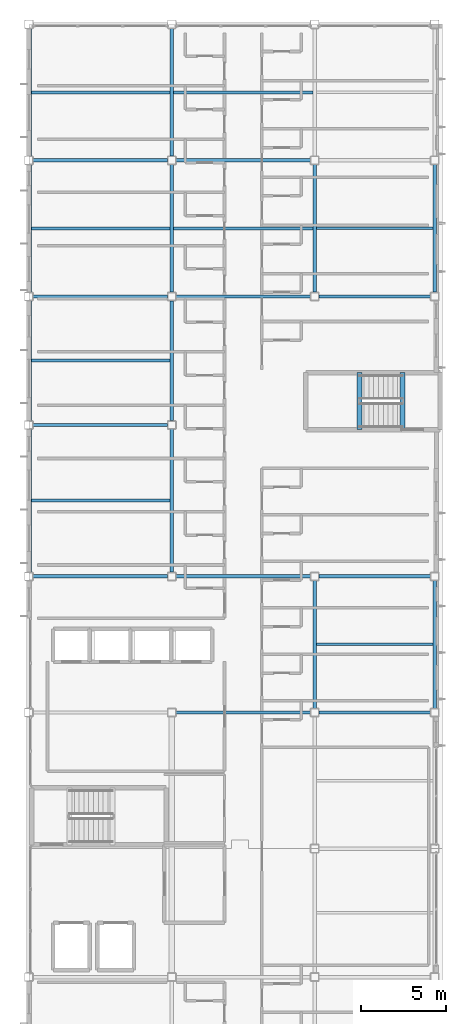
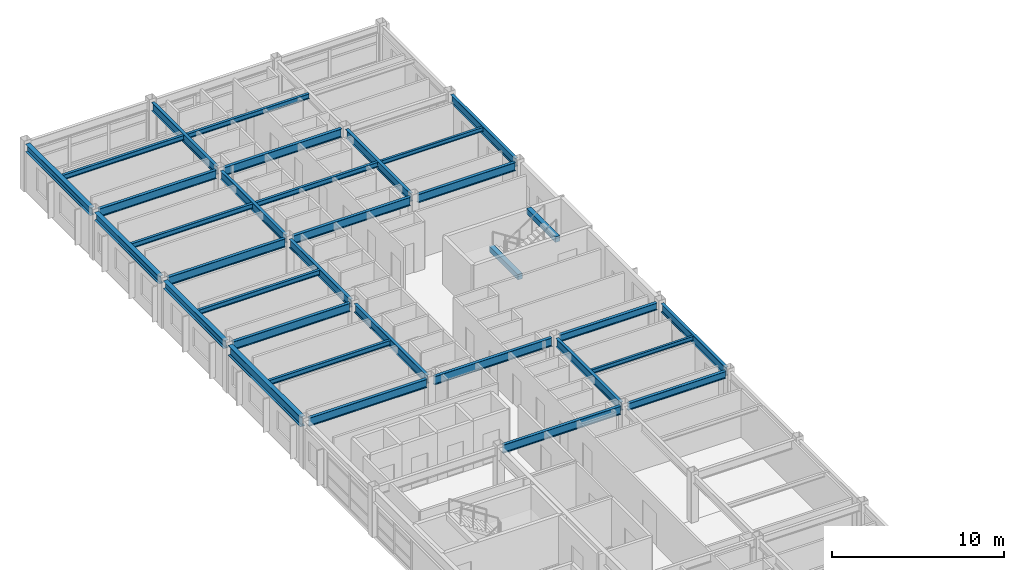
# One storey, part 17 of 35: 33 beams.
"""IFC4 building model written with IfcOpenShell, lengths in metres."""

from ifc_helpers import new_model, si_unit, direction, frame, origin, origin_2d, place, context, subcontext, project, spatial, rectangle, i_section, extrude, material, material_profile, profile_set, type_object, element, save


model = new_model("IFC4")

# Units and contexts
model_context = context("Model", 3, precision=1e-05, world=origin(), true_north=direction((0.0, 1.0)))
body_context = subcontext(model_context, "Body", "Model", "MODEL_VIEW")
ifc_project = project(units=[si_unit("LENGTHUNIT", "METRE"), si_unit("AREAUNIT", "SQUARE_METRE"), si_unit("VOLUMEUNIT", "CUBIC_METRE"), si_unit("PLANEANGLEUNIT", "RADIAN"), si_unit("MASSUNIT", "GRAM", prefix="KILO")], contexts=[model_context])

# Site, building, storey
site_placement = place(None, origin())
site = spatial("IfcSite", under=ifc_project, at=site_placement, CompositionType="ELEMENT")
building_placement = place(site_placement, origin())
building = spatial("IfcBuilding", under=site, at=building_placement, Name="Kazehara Bluff Congress Hotel", CompositionType="ELEMENT")
storey_placement = place(building_placement, frame((0.0, 0.0, 35.39990234375)))
storey = spatial("IfcBuildingStorey", under=building, at=storey_placement, Name="L08", CompositionType="ELEMENT", Elevation=35.39990234375)

# Beams
ifc_material_1 = material(Name="Steel SN490B", Category="steel")
ifc_material_profile_1 = material_profile(ifc_material_1, i_section(OverallWidth=0.199951171875, OverallDepth=0.5, WebThickness=0.010009765625, FlangeThickness=0.01611328125, FilletRadius=0.012939453125, at=origin_2d()))
ifc_profile_set_1 = profile_set([ifc_material_profile_1], Name="Steel SN490B")
beam_type_1 = type_object("IfcBeamType", Name="TP-G-01", PredefinedType="BEAM", material=ifc_profile_set_1)
for number, where, z_axis, x_axis, name in (
    (1, (160.75, 56.449951171875, 3.130126953125), (1.0, 0.0, 0.0), (0.0, 1.0, 0.0), "L08 girder G-01 54"),
    (2, (160.75, 64.449951171875, 3.130126953125), (1.0, 0.0, 0.0), (0.0, 1.0, 0.0), "L08 girder G-01 57"),
):
    element("IfcBeam", number, at=place(storey_placement, frame(where, z_axis=z_axis, x_axis=x_axis)), inside=storey, type_object=beam_type_1, Name=name, PredefinedType="BEAM", context=body_context, shape_type="SweptSolid", body=[
        extrude(i_section(OverallWidth=0.199951171875, OverallDepth=0.5, WebThickness=0.010009765625, FlangeThickness=0.01611328125, FilletRadius=0.012939453125, at=origin_2d()), origin(), (0.0, 0.0, 1.0), 6.550048828125),
    ])
ifc_material_2 = material(Name="Steel SN490B", Category="steel")
ifc_material_profile_2 = material_profile(ifc_material_2, i_section(OverallWidth=0.199951171875, OverallDepth=0.60009765625, WebThickness=0.010986328125, FlangeThickness=0.01708984375, FilletRadius=0.012939453125, at=origin_2d()))
ifc_profile_set_2 = profile_set([ifc_material_profile_2], Name="Steel SN490B")
beam_type_2 = type_object("IfcBeamType", Name="TP-G-02", PredefinedType="BEAM", material=ifc_profile_set_2)
beam_1_placement = place(storey_placement, frame((152.10009765625, 64.699951171875, 3.080078125), z_axis=(0.0, 1.0, 0.0), x_axis=(-1.0, 0.0, 0.0)))
element("IfcBeam", 3, at=beam_1_placement, inside=storey, type_object=beam_type_2, Name="L08 girder G-02 16", PredefinedType="BEAM", context=body_context, shape_type="SweptSolid", body=[
    extrude(i_section(OverallWidth=0.199951171875, OverallDepth=0.60009765625, WebThickness=0.010986328125, FlangeThickness=0.01708984375, FilletRadius=0.012939453125, at=origin_2d()), origin(), (0.0, 0.0, 1.0), 8.400146484375),
])
beam_2_placement = place(storey_placement, frame((152.10009765625, 73.60009765625, 3.080078125), z_axis=(0.0, 1.0, 0.0), x_axis=(-1.0, 0.0, 0.0)))
element("IfcBeam", 4, at=beam_2_placement, inside=storey, type_object=beam_type_2, Name="L08 girder G-02 17", PredefinedType="BEAM", context=body_context, shape_type="SweptSolid", body=[
    extrude(i_section(OverallWidth=0.199951171875, OverallDepth=0.60009765625, WebThickness=0.010986328125, FlangeThickness=0.01708984375, FilletRadius=0.012939453125, at=origin_2d()), origin(), (0.0, 0.0, 1.0), 7.0498046875),
])
for number, where, z_axis, x_axis, name in (
    (5, (152.10009765625, 81.14990234375, 3.080078125), (0.0, 1.0, 0.0), (-1.0, 0.0, 0.0), "L08 girder G-02 18"),
    (6, (152.10009765625, 89.14990234375, 3.080078125), (0.0, 1.0, 0.0), (-1.0, 0.0, 0.0), "L08 girder G-02 19"),
    (7, (160.5, 56.699951171875, 3.080078125), (0.0, 1.0, 0.0), (-1.0, 0.0, 0.0), "L08 girder G-02 25"),
    (8, (160.5, 81.14990234375, 3.080078125), (0.0, 1.0, 0.0), (-1.0, 0.0, 0.0), "L08 girder G-02 26"),
    (9, (167.550048828125, 56.699951171875, 3.080078125), (0.0, 1.0, 0.0), (-1.0, 0.0, 0.0), "L08 girder G-02 33"),
    (10, (167.550048828125, 81.14990234375, 3.080078125), (0.0, 1.0, 0.0), (-1.0, 0.0, 0.0), "L08 girder G-02 34"),
):
    element("IfcBeam", number, at=place(storey_placement, frame(where, z_axis=z_axis, x_axis=x_axis)), inside=storey, type_object=beam_type_2, Name=name, PredefinedType="BEAM", context=body_context, shape_type="SweptSolid", body=[
        extrude(i_section(OverallWidth=0.199951171875, OverallDepth=0.60009765625, WebThickness=0.010986328125, FlangeThickness=0.01708984375, FilletRadius=0.012939453125, at=origin_2d()), origin(), (0.0, 0.0, 1.0), 7.5),
    ])
beam_3_placement = place(storey_placement, frame((152.35009765625, 56.449951171875, 3.080078125), z_axis=(1.0, 0.0, 0.0), x_axis=(0.0, 1.0, 0.0)))
element("IfcBeam", 11, at=beam_3_placement, inside=storey, type_object=beam_type_2, Name="L08 girder G-02 53", PredefinedType="BEAM", context=body_context, shape_type="SweptSolid", body=[
    extrude(i_section(OverallWidth=0.199951171875, OverallDepth=0.60009765625, WebThickness=0.010986328125, FlangeThickness=0.01708984375, FilletRadius=0.012939453125, at=origin_2d()), origin(), (0.0, 0.0, 1.0), 7.89990234375),
])
beam_4_placement = place(storey_placement, frame((143.949951171875, 64.449951171875, 3.080078125), z_axis=(1.0, 0.0, 0.0), x_axis=(0.0, 1.0, 0.0)))
element("IfcBeam", 12, at=beam_4_placement, inside=storey, type_object=beam_type_2, Name="L08 girder G-02 55", PredefinedType="BEAM", context=body_context, shape_type="SweptSolid", body=[
    extrude(i_section(OverallWidth=0.199951171875, OverallDepth=0.60009765625, WebThickness=0.010986328125, FlangeThickness=0.01708984375, FilletRadius=0.012939453125, at=origin_2d()), origin(), (0.0, 0.0, 1.0), 7.900146484375),
])
beam_5_placement = place(storey_placement, frame((152.35009765625, 64.449951171875, 3.080078125), z_axis=(1.0, 0.0, 0.0), x_axis=(0.0, 1.0, 0.0)))
element("IfcBeam", 13, at=beam_5_placement, inside=storey, type_object=beam_type_2, Name="L08 girder G-02 56", PredefinedType="BEAM", context=body_context, shape_type="SweptSolid", body=[
    extrude(i_section(OverallWidth=0.199951171875, OverallDepth=0.60009765625, WebThickness=0.010986328125, FlangeThickness=0.01708984375, FilletRadius=0.012939453125, at=origin_2d()), origin(), (0.0, 0.0, 1.0), 7.89990234375),
])
for number, where, z_axis, x_axis, name in (
    (14, (143.949951171875, 73.35009765625, 3.080078125), (1.0, 0.0, 0.0), (0.0, 1.0, 0.0), "L08 girder G-02 58"),
    (15, (143.949951171875, 88.89990234375, 3.080078125), (1.0, 0.0, 0.0), (0.0, 1.0, 0.0), "L08 girder G-02 62"),
):
    element("IfcBeam", number, at=place(storey_placement, frame(where, z_axis=z_axis, x_axis=x_axis)), inside=storey, type_object=beam_type_2, Name=name, PredefinedType="BEAM", context=body_context, shape_type="SweptSolid", body=[
        extrude(i_section(OverallWidth=0.199951171875, OverallDepth=0.60009765625, WebThickness=0.010986328125, FlangeThickness=0.01708984375, FilletRadius=0.012939453125, at=origin_2d()), origin(), (0.0, 0.0, 1.0), 7.900146484375),
    ])
beam_6_placement = place(storey_placement, frame((152.35009765625, 88.89990234375, 3.080078125), z_axis=(1.0, 0.0, 0.0), x_axis=(0.0, 1.0, 0.0)))
element("IfcBeam", 16, at=beam_6_placement, inside=storey, type_object=beam_type_2, Name="L08 girder G-02 63", PredefinedType="BEAM", context=body_context, shape_type="SweptSolid", body=[
    extrude(i_section(OverallWidth=0.199951171875, OverallDepth=0.60009765625, WebThickness=0.010986328125, FlangeThickness=0.01708984375, FilletRadius=0.012939453125, at=origin_2d()), origin(), (0.0, 0.0, 1.0), 7.89990234375),
])
ifc_material_3 = material(Name="Steel SN400B", Category="steel")
ifc_material_profile_3 = material_profile(ifc_material_3, i_section(OverallWidth=0.14990234375, OverallDepth=0.300048828125, WebThickness=0.006591796875, FlangeThickness=0.009033203125, FilletRadius=0.012939453125, at=origin_2d()))
ifc_profile_set_3 = profile_set([ifc_material_profile_3], Name="Steel SN400B")
beam_type_3 = type_object("IfcBeamType", Name="TP-J-01", PredefinedType="JOIST", material=ifc_profile_set_3)
for number, where, z_axis, x_axis, name in (
    (17, (160.60009765625, 60.449951171875, 3.22998046875), (1.0, 0.0, 0.0), (0.0, 1.0, 0.0), "L08 secondary joist J-01 18"),
    (18, (160.60009765625, 84.89990234375, 3.22998046875), (1.0, 0.0, 0.0), (0.0, 1.0, 0.0), "L08 secondary joist J-01 19"),
):
    element("IfcBeam", number, at=place(storey_placement, frame(where, z_axis=z_axis, x_axis=x_axis)), inside=storey, type_object=beam_type_3, Name=name, PredefinedType="JOIST", context=body_context, shape_type="SweptSolid", body=[
        extrude(i_section(OverallWidth=0.14990234375, OverallDepth=0.300048828125, WebThickness=0.006591796875, FlangeThickness=0.009033203125, FilletRadius=0.012939453125, at=origin_2d()), origin(), (0.0, 0.0, 1.0), 6.849853515625),
    ])
ifc_material_4 = material(Name="Steel SN400B", Category="steel")
ifc_material_profile_4 = material_profile(ifc_material_4, i_section(OverallWidth=0.175048828125, OverallDepth=0.35009765625, WebThickness=0.007080078125, FlangeThickness=0.010986328125, FilletRadius=0.012939453125, at=origin_2d()))
ifc_profile_set_4 = profile_set([ifc_material_profile_4], Name="Steel SN400B")
beam_type_4 = type_object("IfcBeamType", Name="TP-J-02", PredefinedType="JOIST", material=ifc_profile_set_4)
for number, where, z_axis, x_axis, name in (
    (19, (143.85009765625, 68.89990234375, 3.205078125), (1.0, 0.0, 0.0), (0.0, 1.0, 0.0), "L08 secondary joist J-02 4"),
    (20, (143.85009765625, 77.125, 3.205078125), (1.0, 0.0, 0.0), (0.0, 1.0, 0.0), "L08 secondary joist J-02 5"),
    (21, (143.85009765625, 84.89990234375, 3.205078125), (1.0, 0.0, 0.0), (0.0, 1.0, 0.0), "L08 secondary joist J-02 6"),
    (22, (143.85009765625, 92.89990234375, 3.205078125), (1.0, 0.0, 0.0), (0.0, 1.0, 0.0), "L08 secondary joist J-02 7"),
):
    element("IfcBeam", number, at=place(storey_placement, frame(where, z_axis=z_axis, x_axis=x_axis)), inside=storey, type_object=beam_type_4, Name=name, PredefinedType="JOIST", context=body_context, shape_type="SweptSolid", body=[
        extrude(i_section(OverallWidth=0.175048828125, OverallDepth=0.35009765625, WebThickness=0.007080078125, FlangeThickness=0.010986328125, FilletRadius=0.012939453125, at=origin_2d()), origin(), (0.0, 0.0, 1.0), 8.14990234375),
    ])
for number, where, z_axis, x_axis, name in (
    (23, (152.199951171875, 84.89990234375, 3.205078125), (1.0, 0.0, 0.0), (0.0, 1.0, 0.0), "L08 secondary joist J-02 11"),
    (24, (152.199951171875, 92.89990234375, 3.205078125), (1.0, 0.0, 0.0), (0.0, 1.0, 0.0), "L08 secondary joist J-02 12"),
):
    element("IfcBeam", number, at=place(storey_placement, frame(where, z_axis=z_axis, x_axis=x_axis)), inside=storey, type_object=beam_type_4, Name=name, PredefinedType="JOIST", context=body_context, shape_type="SweptSolid", body=[
        extrude(i_section(OverallWidth=0.175048828125, OverallDepth=0.35009765625, WebThickness=0.007080078125, FlangeThickness=0.010986328125, FilletRadius=0.012939453125, at=origin_2d()), origin(), (0.0, 0.0, 1.0), 8.199951171875),
    ])
ifc_material_5 = material(Name="Concrete C40/50", Category="concrete")
ifc_material_profile_5 = material_profile(ifc_material_5, rectangle(XDim=0.300048828125, YDim=0.39990234375, at=origin_2d()))
ifc_profile_set_5 = profile_set([ifc_material_profile_5], Name="Concrete C40/50")
beam_type_5 = type_object("IfcBeamType", Name="TP-LN-02", PredefinedType="LINTEL", material=ifc_profile_set_5)
for number, where, z_axis, x_axis, name in (
    (25, (163.1298828125, 76.425048828125, 1.420166015625), (0.0, -1.0, 0.0), (1.0, 0.0, 0.0), "L08 ST-12 half-landing support beam 1"),
    (26, (165.64990234375, 76.425048828125, 3.2001953125), (0.0, -1.0, 0.0), (1.0, 0.0, 0.0), "L09 ST-12 stairwell trimmer beam"),
):
    element("IfcBeam", number, at=place(storey_placement, frame(where, z_axis=z_axis, x_axis=x_axis)), inside=storey, type_object=beam_type_5, Name=name, PredefinedType="LINTEL", context=body_context, shape_type="SweptSolid", body=[
        extrude(rectangle(XDim=0.300048828125, YDim=0.39990234375, at=origin_2d()), origin(), (0.0, 0.0, 1.0), 3.35009765625),
    ])
ifc_material_6 = material(Name="Steel SN490B", Category="steel")
ifc_material_profile_6 = material_profile(ifc_material_6, i_section(OverallWidth=0.300048828125, OverallDepth=0.550048828125, WebThickness=0.010986328125, FlangeThickness=0.01806640625, FilletRadius=0.012939453125, at=origin_2d()))
ifc_profile_set_6 = profile_set([ifc_material_profile_6], Name="Steel SN490B")
beam_type_6 = type_object("IfcBeamType", Name="TP-SP-01", PredefinedType="SPANDREL", material=ifc_profile_set_6)
beam_7_placement = place(storey_placement, frame((143.699951171875, 73.60009765625, 3.10498046875), z_axis=(0.0, 1.0, 0.0), x_axis=(-1.0, 0.0, 0.0)))
element("IfcBeam", 27, at=beam_7_placement, inside=storey, type_object=beam_type_6, Name="L08 girder SP-01 8", PredefinedType="SPANDREL", context=body_context, shape_type="SweptSolid", body=[
    extrude(i_section(OverallWidth=0.300048828125, OverallDepth=0.550048828125, WebThickness=0.010986328125, FlangeThickness=0.01806640625, FilletRadius=0.012939453125, at=origin_2d()), origin(), (0.0, 0.0, 1.0), 7.0498046875),
])
for number, where, z_axis, x_axis, name in (
    (28, (143.699951171875, 81.14990234375, 3.10498046875), (0.0, 1.0, 0.0), (-1.0, 0.0, 0.0), "L08 girder SP-01 9"),
    (29, (143.699951171875, 89.14990234375, 3.10498046875), (0.0, 1.0, 0.0), (-1.0, 0.0, 0.0), "L08 girder SP-01 10"),
):
    element("IfcBeam", number, at=place(storey_placement, frame(where, z_axis=z_axis, x_axis=x_axis)), inside=storey, type_object=beam_type_6, Name=name, PredefinedType="SPANDREL", context=body_context, shape_type="SweptSolid", body=[
        extrude(i_section(OverallWidth=0.300048828125, OverallDepth=0.550048828125, WebThickness=0.010986328125, FlangeThickness=0.01806640625, FilletRadius=0.012939453125, at=origin_2d()), origin(), (0.0, 0.0, 1.0), 7.5),
    ])
ifc_material_7 = material(Name="Steel SN490B", Category="steel")
ifc_material_profile_7 = material_profile(ifc_material_7, i_section(OverallWidth=0.199951171875, OverallDepth=0.60009765625, WebThickness=0.010986328125, FlangeThickness=0.01708984375, FilletRadius=0.012939453125, at=origin_2d()))
ifc_profile_set_7 = profile_set([ifc_material_profile_7], Name="Steel SN490B")
beam_type_7 = type_object("IfcBeamType", Name="TP-SP-02", PredefinedType="SPANDREL", material=ifc_profile_set_7)
beam_8_placement = place(storey_placement, frame((143.949951171875, 80.89990234375, 3.080078125), z_axis=(1.0, 0.0, 0.0), x_axis=(0.0, 1.0, 0.0)))
element("IfcBeam", 30, at=beam_8_placement, inside=storey, type_object=beam_type_7, Name="L08 girder SP-02 59", PredefinedType="SPANDREL", context=body_context, shape_type="SweptSolid", body=[
    extrude(i_section(OverallWidth=0.199951171875, OverallDepth=0.60009765625, WebThickness=0.010986328125, FlangeThickness=0.01708984375, FilletRadius=0.012939453125, at=origin_2d()), origin(), (0.0, 0.0, 1.0), 7.900146484375),
])
beam_9_placement = place(storey_placement, frame((152.35009765625, 80.89990234375, 3.080078125), z_axis=(1.0, 0.0, 0.0), x_axis=(0.0, 1.0, 0.0)))
element("IfcBeam", 31, at=beam_9_placement, inside=storey, type_object=beam_type_7, Name="L08 girder SP-02 60", PredefinedType="SPANDREL", context=body_context, shape_type="SweptSolid", body=[
    extrude(i_section(OverallWidth=0.199951171875, OverallDepth=0.60009765625, WebThickness=0.010986328125, FlangeThickness=0.01708984375, FilletRadius=0.012939453125, at=origin_2d()), origin(), (0.0, 0.0, 1.0), 7.89990234375),
])
beam_10_placement = place(storey_placement, frame((160.75, 80.89990234375, 3.080078125), z_axis=(1.0, 0.0, 0.0), x_axis=(0.0, 1.0, 0.0)))
element("IfcBeam", 32, at=beam_10_placement, inside=storey, type_object=beam_type_7, Name="L08 girder SP-02 61", PredefinedType="SPANDREL", context=body_context, shape_type="SweptSolid", body=[
    extrude(i_section(OverallWidth=0.199951171875, OverallDepth=0.60009765625, WebThickness=0.010986328125, FlangeThickness=0.01708984375, FilletRadius=0.012939453125, at=origin_2d()), origin(), (0.0, 0.0, 1.0), 6.550048828125),
])
ifc_material_8 = material(Name="Steel SN490B", Category="steel")
ifc_material_profile_8 = material_profile(ifc_material_8, i_section(OverallWidth=0.300048828125, OverallDepth=0.699951171875, WebThickness=0.012939453125, FlangeThickness=0.02392578125, FilletRadius=0.01806640625, at=origin_2d()))
ifc_profile_set_8 = profile_set([ifc_material_profile_8], Name="Steel SN490B")
beam_type_8 = type_object("IfcBeamType", Name="TP-SP-03", PredefinedType="SPANDREL", material=ifc_profile_set_8)
beam_11_placement = place(storey_placement, frame((143.699951171875, 64.699951171875, 3.030029296875), z_axis=(0.0, 1.0, 0.0), x_axis=(-1.0, 0.0, 0.0)))
element("IfcBeam", 33, at=beam_11_placement, inside=storey, type_object=beam_type_8, Name="L08 girder SP-03 7", PredefinedType="SPANDREL", context=body_context, shape_type="SweptSolid", body=[
    extrude(i_section(OverallWidth=0.300048828125, OverallDepth=0.699951171875, WebThickness=0.012939453125, FlangeThickness=0.02392578125, FilletRadius=0.01806640625, at=origin_2d()), origin(), (0.0, 0.0, 1.0), 8.400146484375),
])

save(model, "model.ifc")
